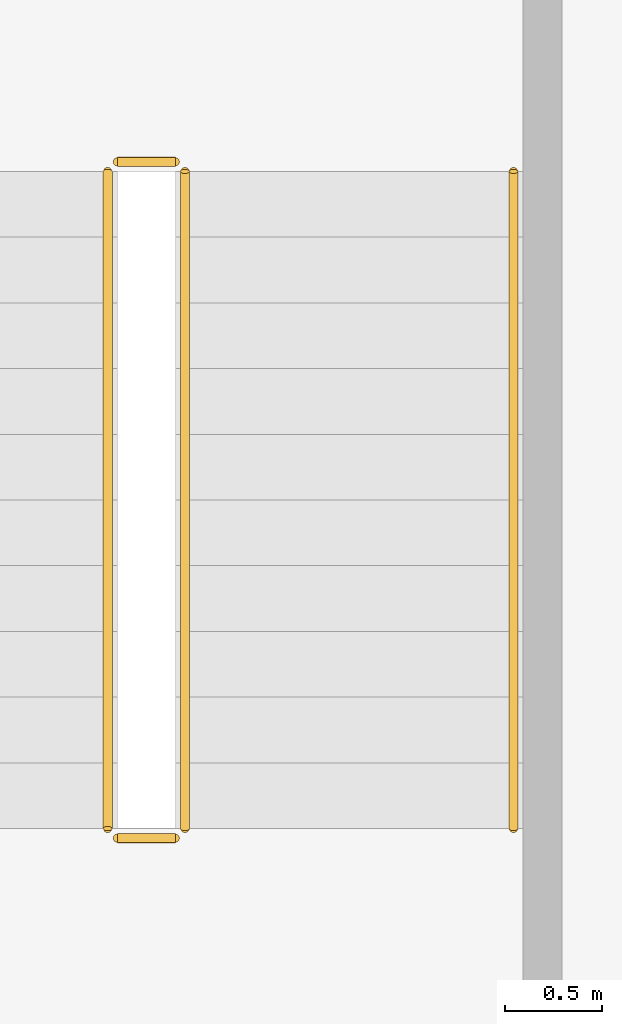
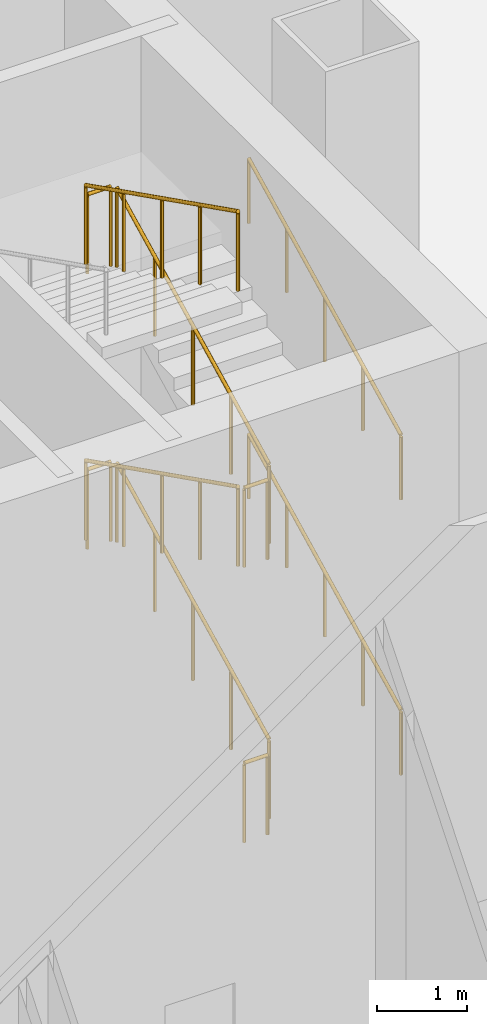
# One storey, part 32 of 36: 10 railings.
"""IFC4 building model written with IfcOpenShell, lengths in metres."""

from ifc_helpers import new_model, si_unit, direction, frame, origin, origin_2d, place, context, subcontext, project, spatial, circle, extrude, material, type_object, element, save


model = new_model("IFC4")

# Units and contexts
model_context = context("Model", 3, precision=1e-05, world=origin(), true_north=direction((0.0, 1.0)))
body_context = subcontext(model_context, "Body", "Model", "MODEL_VIEW")
ifc_project = project(units=[si_unit("LENGTHUNIT", "METRE"), si_unit("AREAUNIT", "SQUARE_METRE"), si_unit("VOLUMEUNIT", "CUBIC_METRE"), si_unit("PLANEANGLEUNIT", "RADIAN"), si_unit("MASSUNIT", "GRAM", prefix="KILO")], contexts=[model_context])

# Site, building, storey
site_placement = place(None, origin())
site = spatial("IfcSite", under=ifc_project, at=site_placement, CompositionType="ELEMENT")
building_placement = place(site_placement, origin())
building = spatial("IfcBuilding", under=site, at=building_placement, Name="Cobrizo Arcos Hotel Tower", CompositionType="ELEMENT")
storey_placement = place(building_placement, origin())
storey = spatial("IfcBuildingStorey", under=building, at=storey_placement, Name="L00", CompositionType="ELEMENT", Elevation=0.0)

# Railings
ifc_material = material(Name="Stainless steel railing", Category="steel")
railing_type_1 = type_object("IfcRailingType", Name="Stair guard 1100", PredefinedType="GUARDRAIL", material=ifc_material)
railing_1_placement = place(storey_placement, frame((-17.75, -8.89990234375, 0.17041015625)))
element("IfcRailing", 1, at=railing_1_placement, inside=storey, type_object=railing_type_1, Name="L00 ST-W stair guard 1", PredefinedType="GUARDRAIL", context=body_context, shape_type="SweptSolid", body=[
    extrude(circle(Radius=0.02392578125, at=origin_2d()), frame((0.0, 0.0, 1.076171875), z_axis=(0.0, 0.89393879905, 0.448189048899), x_axis=(-1.0, 0.0, 0.0)), (0.0, 0.0, 1.0), 3.80322265625),
    extrude(circle(Radius=0.02099609375, at=origin_2d()), origin(), (0.0, 0.0, 1.0), 1.052001953125),
    extrude(circle(Radius=0.02099609375, at=origin_2d()), frame((0.0, 0.85009765625, 0.42626953125)), (0.0, 0.0, 1.0), 1.052001953125),
    extrude(circle(Radius=0.02099609375, at=origin_2d()), frame((0.0, 1.699951171875, 0.852294921875)), (0.0, 0.0, 1.0), 1.052001953125),
    extrude(circle(Radius=0.02099609375, at=origin_2d()), frame((0.0, 2.5498046875, 1.2783203125)), (0.0, 0.0, 1.0), 1.052001953125),
    extrude(circle(Radius=0.02099609375, at=origin_2d()), frame((0.0, 3.39990234375, 1.70458984375)), (0.0, 0.0, 1.0), 1.052001953125),
])
railing_2_placement = place(storey_placement, frame((-17.800048828125, -5.449951171875, 1.875)))
element("IfcRailing", 2, at=railing_2_placement, inside=storey, type_object=railing_type_1, Name="L00 ST-W stair guard 2", PredefinedType="GUARDRAIL", context=body_context, shape_type="SweptSolid", body=[
    extrude(circle(Radius=0.02392578125, at=origin_2d()), frame((0.0, 0.0, 1.076171875), z_axis=(-1.0, 0.0, 0.0), x_axis=(0.0, -1.0, 0.0)), (0.0, 0.0, 1.0), 0.300048828125),
    extrude(circle(Radius=0.02099609375, at=origin_2d()), origin(), (0.0, 0.0, 1.0), 1.052001953125),
    extrude(circle(Radius=0.02099609375, at=origin_2d()), frame((-0.300048828125, 0.0, 0.0)), (0.0, 0.0, 1.0), 1.052001953125),
])
railing_3_placement = place(storey_placement, frame((-18.14990234375, -5.5, 2.04541015625)))
element("IfcRailing", 3, at=railing_3_placement, inside=storey, type_object=railing_type_1, Name="L00 ST-W stair guard 3", PredefinedType="GUARDRAIL", context=body_context, shape_type="SweptSolid", body=[
    extrude(circle(Radius=0.02392578125, at=origin_2d()), frame((0.0, 0.0, 1.076171875), z_axis=(0.0, -0.89393879905, 0.448189048899), x_axis=(1.0, 0.0, 0.0)), (0.0, 0.0, 1.0), 3.80322265625),
    extrude(circle(Radius=0.02099609375, at=origin_2d()), origin(), (0.0, 0.0, 1.0), 1.052001953125),
    extrude(circle(Radius=0.02099609375, at=origin_2d()), frame((0.0, -0.85009765625, 0.42626953125)), (0.0, 0.0, 1.0), 1.052001953125),
    extrude(circle(Radius=0.02099609375, at=origin_2d()), frame((0.0, -1.699951171875, 0.852294921875)), (0.0, 0.0, 1.0), 1.052001953125),
    extrude(circle(Radius=0.02099609375, at=origin_2d()), frame((0.0, -2.5498046875, 1.2783203125)), (0.0, 0.0, 1.0), 1.052001953125),
    extrude(circle(Radius=0.02099609375, at=origin_2d()), frame((0.0, -3.39990234375, 1.70458984375)), (0.0, 0.0, 1.0), 1.052001953125),
])
railing_4_placement = place(storey_placement, frame((-17.800048828125, -8.949951171875, 3.75)))
element("IfcRailing", 4, at=railing_4_placement, inside=storey, type_object=railing_type_1, Name="L00 ST-W stair guard 4", PredefinedType="GUARDRAIL", context=body_context, shape_type="SweptSolid", body=[
    extrude(circle(Radius=0.02392578125, at=origin_2d()), frame((0.0, 0.0, 1.076171875), z_axis=(-1.0, 0.0, 0.0), x_axis=(0.0, -1.0, 0.0)), (0.0, 0.0, 1.0), 0.300048828125),
    extrude(circle(Radius=0.02099609375, at=origin_2d()), origin(), (0.0, 0.0, 1.0), 1.052001953125),
    extrude(circle(Radius=0.02099609375, at=origin_2d()), frame((-0.300048828125, 0.0, 0.0)), (0.0, 0.0, 1.0), 1.052001953125),
])
railing_5_placement = place(storey_placement, frame((-17.75, -8.89990234375, 3.92041015625)))
element("IfcRailing", 5, at=railing_5_placement, inside=storey, type_object=railing_type_1, Name="L00 ST-W stair guard 5", PredefinedType="GUARDRAIL", context=body_context, shape_type="SweptSolid", body=[
    extrude(circle(Radius=0.02392578125, at=origin_2d()), frame((0.0, 0.0, 1.076171875), z_axis=(0.0, 0.89393879905, 0.448189048899), x_axis=(-1.0, 0.0, 0.0)), (0.0, 0.0, 1.0), 3.80322265625),
    extrude(circle(Radius=0.02099609375, at=origin_2d()), origin(), (0.0, 0.0, 1.0), 1.052001953125),
    extrude(circle(Radius=0.02099609375, at=origin_2d()), frame((0.0, 0.85009765625, 0.42626953125)), (0.0, 0.0, 1.0), 1.052001953125),
    extrude(circle(Radius=0.02099609375, at=origin_2d()), frame((0.0, 1.699951171875, 0.852294921875)), (0.0, 0.0, 1.0), 1.052001953125),
    extrude(circle(Radius=0.02099609375, at=origin_2d()), frame((0.0, 2.5498046875, 1.2783203125)), (0.0, 0.0, 1.0), 1.052001953125),
    extrude(circle(Radius=0.02099609375, at=origin_2d()), frame((0.0, 3.39990234375, 1.70458984375)), (0.0, 0.0, 1.0), 1.052001953125),
])
railing_6_placement = place(storey_placement, frame((-17.800048828125, -5.449951171875, 5.625)))
element("IfcRailing", 6, at=railing_6_placement, inside=storey, type_object=railing_type_1, Name="L00 ST-W stair guard 6", PredefinedType="GUARDRAIL", context=body_context, shape_type="SweptSolid", body=[
    extrude(circle(Radius=0.02392578125, at=origin_2d()), frame((0.0, 0.0, 1.076171875), z_axis=(-1.0, 0.0, 0.0), x_axis=(0.0, -1.0, 0.0)), (0.0, 0.0, 1.0), 0.300048828125),
    extrude(circle(Radius=0.02099609375, at=origin_2d()), origin(), (0.0, 0.0, 1.0), 1.052001953125),
    extrude(circle(Radius=0.02099609375, at=origin_2d()), frame((-0.300048828125, 0.0, 0.0)), (0.0, 0.0, 1.0), 1.052001953125),
])
railing_7_placement = place(storey_placement, frame((-18.14990234375, -5.5, 5.79541015625)))
element("IfcRailing", 7, at=railing_7_placement, inside=storey, type_object=railing_type_1, Name="L00 ST-W stair guard 7", PredefinedType="GUARDRAIL", context=body_context, shape_type="SweptSolid", body=[
    extrude(circle(Radius=0.02392578125, at=origin_2d()), frame((0.0, 0.0, 1.076171875), z_axis=(0.0, -0.89393879905, 0.448189048899), x_axis=(1.0, 0.0, 0.0)), (0.0, 0.0, 1.0), 3.80322265625),
    extrude(circle(Radius=0.02099609375, at=origin_2d()), origin(), (0.0, 0.0, 1.0), 1.052001953125),
    extrude(circle(Radius=0.02099609375, at=origin_2d()), frame((0.0, -0.85009765625, 0.42626953125)), (0.0, 0.0, 1.0), 1.052001953125),
    extrude(circle(Radius=0.02099609375, at=origin_2d()), frame((0.0, -1.699951171875, 0.852294921875)), (0.0, 0.0, 1.0), 1.052001953125),
    extrude(circle(Radius=0.02099609375, at=origin_2d()), frame((0.0, -2.5498046875, 1.2783203125)), (0.0, 0.0, 1.0), 1.052001953125),
    extrude(circle(Radius=0.02099609375, at=origin_2d()), frame((0.0, -3.39990234375, 1.70458984375)), (0.0, 0.0, 1.0), 1.052001953125),
])
railing_8_placement = place(storey_placement, frame((-17.800048828125, -8.949951171875, 0.0)))
element("IfcRailing", 8, at=railing_8_placement, inside=storey, type_object=railing_type_1, Name="L00 ST-W stair guard 8", PredefinedType="GUARDRAIL", context=body_context, shape_type="SweptSolid", body=[
    extrude(circle(Radius=0.02392578125, at=origin_2d()), frame((0.0, 0.0, 1.076171875), z_axis=(-1.0, 0.0, 0.0), x_axis=(0.0, -1.0, 0.0)), (0.0, 0.0, 1.0), 0.300048828125),
    extrude(circle(Radius=0.02099609375, at=origin_2d()), origin(), (0.0, 0.0, 1.0), 1.052001953125),
    extrude(circle(Radius=0.02099609375, at=origin_2d()), frame((-0.300048828125, 0.0, 0.0)), (0.0, 0.0, 1.0), 1.052001953125),
])
railing_type_2 = type_object("IfcRailingType", Name="Stair handrail", PredefinedType="HANDRAIL", material=ifc_material)
for number, where, name in (
    (9, (-16.050048828125, -8.89990234375, 0.17041015625), "L00 ST-W stair handrail 1"),
    (10, (-16.050048828125, -8.89990234375, 3.92041015625), "L00 ST-W stair handrail 3"),
):
    element("IfcRailing", number, at=place(storey_placement, frame(where)), inside=storey, type_object=railing_type_2, Name=name, PredefinedType="HANDRAIL", context=body_context, shape_type="SweptSolid", body=[
        extrude(circle(Radius=0.02392578125, at=origin_2d()), frame((0.0, 0.0, 0.8759765625), z_axis=(0.0, 0.89393879905, 0.448189048899), x_axis=(-1.0, 0.0, 0.0)), (0.0, 0.0, 1.0), 3.80322265625),
        extrude(circle(Radius=0.02099609375, at=origin_2d()), origin(), (0.0, 0.0, 1.0), 0.851806640625),
        extrude(circle(Radius=0.02099609375, at=origin_2d()), frame((0.0, 0.85009765625, 0.42626953125)), (0.0, 0.0, 1.0), 0.851806640625),
        extrude(circle(Radius=0.02099609375, at=origin_2d()), frame((0.0, 1.699951171875, 0.852294921875)), (0.0, 0.0, 1.0), 0.851806640625),
        extrude(circle(Radius=0.02099609375, at=origin_2d()), frame((0.0, 2.5498046875, 1.2783203125)), (0.0, 0.0, 1.0), 0.851806640625),
        extrude(circle(Radius=0.02099609375, at=origin_2d()), frame((0.0, 3.39990234375, 1.70458984375)), (0.0, 0.0, 1.0), 0.851806640625),
    ])

save(model, "model.ifc")
